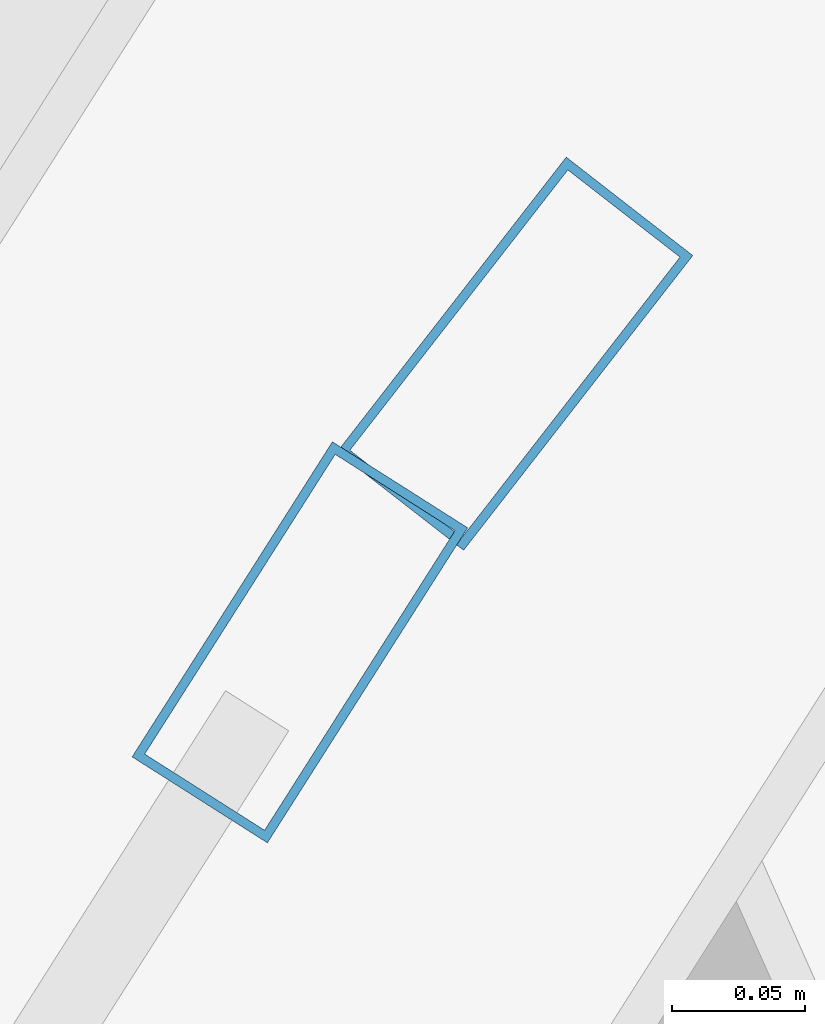
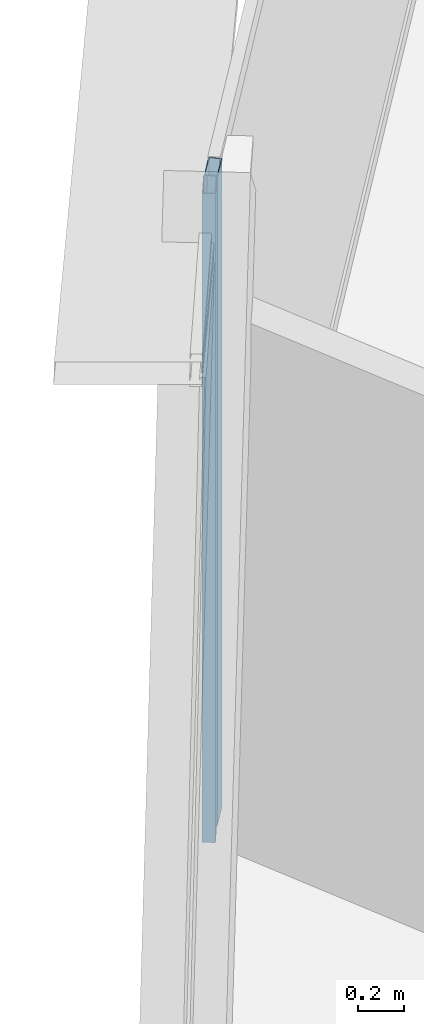
# One storey, part 21 of 35: 2 members, 2 elements without a shape of their own.
"""IFC4 building model written with IfcOpenShell, lengths in metres."""

from ifc_helpers import new_model, si_unit, direction, frame, origin, origin_2d, place, context, subcontext, project, spatial, hollow_rectangle, extrude, source, transform, mapped, material, layer, layer_set, material_profile, profile_set, type_object, element, aggregate, save


model = new_model("IFC4")

# Units and contexts
model_context = context("Model", 3, precision=1e-05, world=origin(), true_north=direction((0.0, 1.0)))
body_context = subcontext(model_context, "Body", "Model", "MODEL_VIEW")
ifc_project = project(units=[si_unit("LENGTHUNIT", "METRE"), si_unit("AREAUNIT", "SQUARE_METRE"), si_unit("VOLUMEUNIT", "CUBIC_METRE"), si_unit("PLANEANGLEUNIT", "RADIAN"), si_unit("MASSUNIT", "GRAM", prefix="KILO"), si_unit("THERMODYNAMICTEMPERATUREUNIT", "KELVIN"), si_unit("POWERUNIT", "WATT")], contexts=[model_context])

# Site, building, storey
site_placement = place(None, origin())
site = spatial("IfcSite", under=ifc_project, at=site_placement, CompositionType="ELEMENT")
building_placement = place(site_placement, origin())
building = spatial("IfcBuilding", under=site, at=building_placement, Name="Yunzhuo Pagoda Commons", CompositionType="ELEMENT")
storey_placement = place(building_placement, frame((0.0, 0.0, 299.93994140625)))
storey = spatial("IfcBuildingStorey", under=building, at=storey_placement, Name="L75", CompositionType="ELEMENT", Elevation=299.93994140625)

# Curtain wall, member
ifc_material = material(Name="Anodized aluminium 6063-T6", Category="aluminium")
ifc_layer = layer(ifc_material, 0.139892578125)
ifc_layer_set = layer_set([ifc_layer], Name="Anodized aluminium 6063-T6")
curtain_wall_type = type_object("IfcCurtainWallType", Name="CW-HI High-Zone Ribbon Curtain Wall", PredefinedType="NOTDEFINED", material=ifc_layer_set)
curtain_wall_1_placement = place(storey_placement, origin())
curtain_wall_1 = element("IfcCurtainWall", 1, at=curtain_wall_1_placement, inside=storey, type_object=curtain_wall_type, Name="L75 curtain wall CW-L75-F3B2", PredefinedType="NOTDEFINED")
ifc_material_profile = material_profile(ifc_material, hollow_rectangle(XDim=0.06005859375, YDim=0.139892578125, WallThickness=0.00341796875, at=origin_2d()), Name="Anodized aluminium 6063-T6")
ifc_profile_set = profile_set([ifc_material_profile], Name="Anodized aluminium 6063-T6")
member_type = type_object("IfcMemberType", Name="CW-HI-M Mullion RHS 140x60x3.5", PredefinedType="MULLION", material=ifc_profile_set)
shared_shape = source(origin(), body_context, "Body", "SweptSolid", [
    extrude(hollow_rectangle(XDim=0.06005859375, YDim=0.139892578125, WallThickness=0.00341796875, at=origin_2d()), origin(), (0.0, 0.0, 1.0), 3.469970703125),
])
member_1_placement = place(storey_placement, frame((35.119384765625, 62.56884765625, 0.0), z_axis=(0.0, 0.0, 1.0), x_axis=(0.843909804597, -0.536485080599, 0.0)))
member_1 = element("IfcMember", 2, at=member_1_placement, type_object=member_type, Name="CW mullion 1", PredefinedType="MULLION", context=body_context, shape_type="MappedRepresentation", body=[
    mapped(shared_shape, transform((0.0, 0.0, 0.0), scale=1.0)),
])
aggregate(curtain_wall_1, [member_1])

curtain_wall_2_placement = place(storey_placement, origin())
curtain_wall_2 = element("IfcCurtainWall", 3, at=curtain_wall_2_placement, inside=storey, type_object=curtain_wall_type, Name="L75 curtain wall CW-L75-F3B1", PredefinedType="NOTDEFINED")
member_2_placement = place(storey_placement, frame((35.199951171875, 62.677001953125, 0.0), z_axis=(0.0, 0.0, 1.0), x_axis=(0.78943032712, -0.613840173517, 0.0)))
member_2 = element("IfcMember", 4, at=member_2_placement, type_object=member_type, Name="CW mullion 2", PredefinedType="MULLION", context=body_context, shape_type="MappedRepresentation", body=[
    mapped(shared_shape, transform((0.0, 0.0, 0.0), scale=1.0)),
])
aggregate(curtain_wall_2, [member_2])

save(model, "model.ifc")
